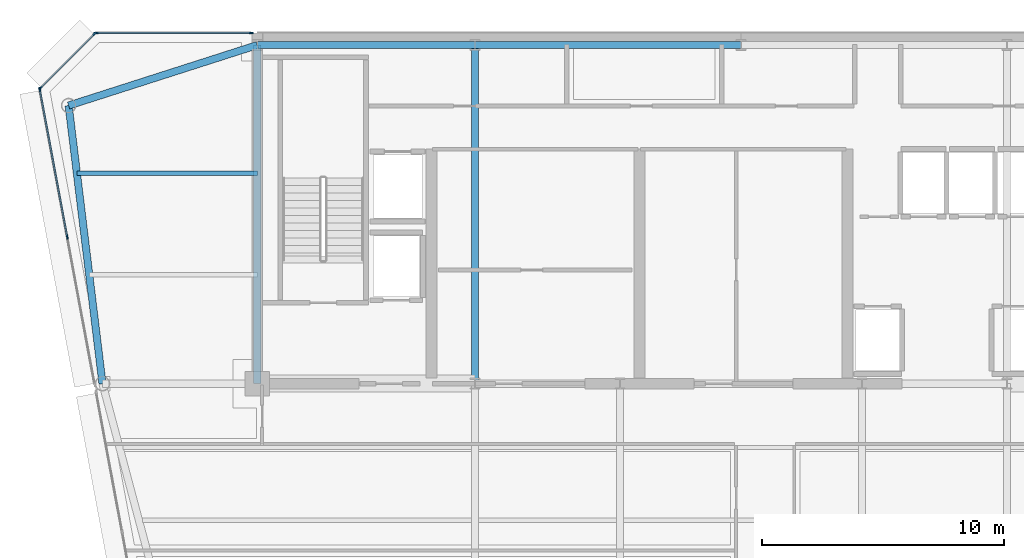
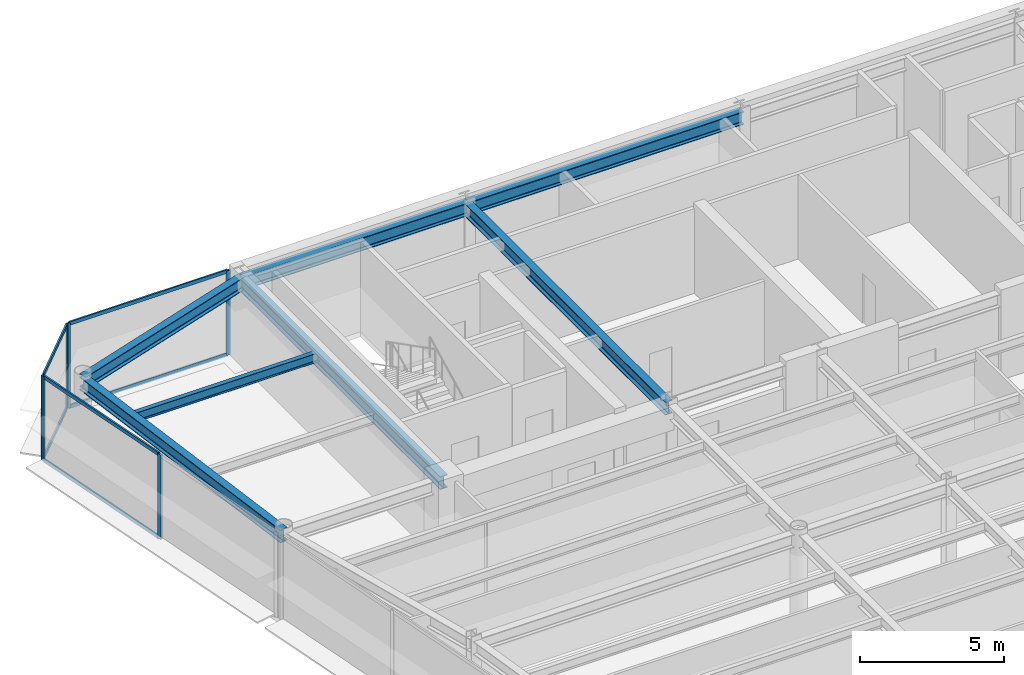
# One storey, part 7 of 18: 12 members, 7 beams, 3 elements without a shape of their own.
"""IFC4 building model written with IfcOpenShell, lengths in metres."""

from ifc_helpers import new_model, si_unit, direction, frame, origin, origin_2d, place, context, subcontext, project, spatial, rectangle, i_section, extrude, source, transform, mapped, material, layer, layer_set, material_profile, profile_set, type_object, element, aggregate, save


model = new_model("IFC4")

# Units and contexts
model_context = context("Model", 3, precision=1e-05, world=origin(), true_north=direction((0.0, 1.0)))
body_context = subcontext(model_context, "Body", "Model", "MODEL_VIEW")
ifc_project = project(units=[si_unit("LENGTHUNIT", "METRE"), si_unit("AREAUNIT", "SQUARE_METRE"), si_unit("VOLUMEUNIT", "CUBIC_METRE"), si_unit("PLANEANGLEUNIT", "RADIAN"), si_unit("MASSUNIT", "GRAM", prefix="KILO")], contexts=[model_context])

# Site, building, storey
site_placement = place(None, origin())
site = spatial("IfcSite", under=ifc_project, at=site_placement, CompositionType="ELEMENT")
building_placement = place(site_placement, origin())
building = spatial("IfcBuilding", under=site, at=building_placement, Name="Vaeldorn Concourse Tower", CompositionType="ELEMENT")
storey_placement = place(building_placement, frame((0.0, 0.0, 257.39990234375)))
storey = spatial("IfcBuildingStorey", under=building, at=storey_placement, Name="L66", CompositionType="ELEMENT", Elevation=257.39990234375)

# Beams
ifc_material_1 = material(Name="Steel S355", Category="steel")
ifc_material_profile_1 = material_profile(ifc_material_1, i_section(OverallWidth=0.179931640625, OverallDepth=0.39990234375, WebThickness=0.008544921875, FlangeThickness=0.013427734375, FilletRadius=0.02099609375, at=origin_2d()), Name="IPE 400")
ifc_profile_set_1 = profile_set([ifc_material_profile_1], Name="Steel S355")
beam_type_1 = type_object("IfcBeamType", Name="BM-JS-IPE400", PredefinedType="JOIST", material=ifc_profile_set_1)
shared_shape_1 = source(origin(), body_context, "Body", "SweptSolid", [
    extrude(i_section(OverallWidth=0.179931640625, OverallDepth=0.39990234375, WebThickness=0.008544921875, FlangeThickness=0.013427734375, FilletRadius=0.02099609375, at=origin_2d()), origin(), (0.0, 0.0, 1.0), 7.458984375),
])
beam_1_placement = place(storey_placement, frame((6.541015625, 45.199951171875, 3.380126953125), z_axis=(1.0, 0.0, 0.0), x_axis=(0.0, 1.0, 0.0)))
element("IfcBeam", 1, at=beam_1_placement, inside=storey, type_object=beam_type_1, Name="Beam JS-L66-NW-452", PredefinedType="JOIST", context=body_context, shape_type="MappedRepresentation", body=[
    mapped(shared_shape_1, transform((0.0, 0.0, 0.0), scale=1.0)),
])
ifc_material_profile_2 = material_profile(ifc_material_1, i_section(OverallWidth=0.300048828125, OverallDepth=0.550048828125, WebThickness=0.014892578125, FlangeThickness=0.029052734375, FilletRadius=0.027099609375, at=origin_2d()), Name="HEB 550")
ifc_profile_set_2 = profile_set([ifc_material_profile_2], Name="Steel S355")
beam_type_2 = type_object("IfcBeamType", Name="BM-PG-HEB550", PredefinedType="BEAM", material=ifc_profile_set_2)
shared_shape_2 = source(origin(), body_context, "Body", "SweptSolid", [
    extrude(i_section(OverallWidth=0.300048828125, OverallDepth=0.550048828125, WebThickness=0.014892578125, FlangeThickness=0.029052734375, FilletRadius=0.027099609375, at=origin_2d()), origin(), (0.0, 0.0, 1.0), 9.0),
])
beam_2_placement = place(storey_placement, frame((14.0, 50.5, 3.30517578125), z_axis=(1.0, 0.0, 0.0), x_axis=(0.0, 1.0, 0.0)))
element("IfcBeam", 2, at=beam_2_placement, inside=storey, type_object=beam_type_2, Name="Beam BM-L66-C-HC1-C-HC2", PredefinedType="BEAM", context=body_context, shape_type="MappedRepresentation", body=[
    mapped(shared_shape_2, transform((0.0, 0.0, 0.0), scale=1.0)),
])
shared_shape_3 = source(origin(), body_context, "Body", "SweptSolid", [
    extrude(i_section(OverallWidth=0.300048828125, OverallDepth=0.550048828125, WebThickness=0.014892578125, FlangeThickness=0.029052734375, FilletRadius=0.027099609375, at=origin_2d()), origin(), (0.0, 0.0, 1.0), 11.0),
])
beam_3_placement = place(storey_placement, frame((23.0, 50.5, 3.30517578125), z_axis=(1.0, 0.0, 0.0), x_axis=(0.0, 1.0, 0.0)))
element("IfcBeam", 3, at=beam_3_placement, inside=storey, type_object=beam_type_2, Name="Beam BM-L66-C-HC2-C-HC3", PredefinedType="BEAM", context=body_context, shape_type="MappedRepresentation", body=[
    mapped(shared_shape_3, transform((0.0, 0.0, 0.0), scale=1.0)),
])
shared_shape_4 = source(origin(), body_context, "Body", "SweptSolid", [
    extrude(i_section(OverallWidth=0.300048828125, OverallDepth=0.550048828125, WebThickness=0.014892578125, FlangeThickness=0.029052734375, FilletRadius=0.027099609375, at=origin_2d()), origin(), (0.0, 0.0, 1.0), 14.0),
])
for number, where, z_axis, x_axis, name in (
    (4, (14.0, 36.5, 3.30517578125), (0.0, 1.0, 0.0), (-1.0, 0.0, 0.0), "Beam BM-L66-C-FC1-C-HC1"),
    (5, (23.0, 36.5, 3.30517578125), (0.0, 1.0, 0.0), (-1.0, 0.0, 0.0), "Beam BM-L66-C-FC2-C-HC2"),
):
    element("IfcBeam", number, at=place(storey_placement, frame(where, z_axis=z_axis, x_axis=x_axis)), inside=storey, type_object=beam_type_2, Name=name, PredefinedType="BEAM", context=body_context, shape_type="MappedRepresentation", body=[
        mapped(shared_shape_4, transform((0.0, 0.0, 0.0), scale=1.0)),
    ])
shared_shape_5 = source(origin(), body_context, "Body", "SweptSolid", [
    extrude(i_section(OverallWidth=0.300048828125, OverallDepth=0.550048828125, WebThickness=0.014892578125, FlangeThickness=0.029052734375, FilletRadius=0.027099609375, at=origin_2d()), origin(), (0.0, 0.0, 1.0), 8.19091796875),
])
beam_4_placement = place(storey_placement, frame((6.199951171875, 48.0, 3.30517578125), z_axis=(0.952282843383, 0.305216949396, 0.0), x_axis=(-0.305216949396, 0.952282843383, 0.0)))
element("IfcBeam", 6, at=beam_4_placement, inside=storey, type_object=beam_type_2, Name="Beam BM-L66-C-NW1-C-HC1", PredefinedType="BEAM", context=body_context, shape_type="MappedRepresentation", body=[
    mapped(shared_shape_5, transform((0.0, 0.0, 0.0), scale=1.0)),
])
shared_shape_6 = source(origin(), body_context, "Body", "SweptSolid", [
    extrude(i_section(OverallWidth=0.300048828125, OverallDepth=0.550048828125, WebThickness=0.014892578125, FlangeThickness=0.029052734375, FilletRadius=0.027099609375, at=origin_2d()), origin(), (0.0, 0.0, 1.0), 11.5849609375),
])
beam_5_placement = place(storey_placement, frame((6.199951171875, 48.0, 3.30517578125), z_axis=(0.120859382899, -0.992669637677, 0.0), x_axis=(0.992669637677, 0.120859382899, 0.0)))
element("IfcBeam", 7, at=beam_5_placement, inside=storey, type_object=beam_type_2, Name="Beam BM-L66-C-NW1-C-NW2", PredefinedType="BEAM", context=body_context, shape_type="MappedRepresentation", body=[
    mapped(shared_shape_6, transform((0.0, 0.0, 0.0), scale=1.0)),
])

# Curtain wall, members
ifc_material_2 = material(Name="Anodised Bronze Aluminium", Category="aluminium")
ifc_layer = layer(ifc_material_2, 0.179931640625)
ifc_layer_set = layer_set([ifc_layer], Name="Anodised Bronze Aluminium")
curtain_wall_type = type_object("IfcCurtainWallType", Name="CW-SYS-05", PredefinedType="NOTDEFINED", material=ifc_layer_set)
curtain_wall_1_placement = place(storey_placement, origin())
curtain_wall_1 = element("IfcCurtainWall", 8, at=curtain_wall_1_placement, inside=storey, type_object=curtain_wall_type, Name="Unitised Curtain Wall CW-L66-E10-1", PredefinedType="NOTDEFINED")
ifc_material_profile_3 = material_profile(ifc_material_2, rectangle(XDim=0.06494140625, YDim=0.14990234375, at=origin_2d()), Name="CWT 65x150")
ifc_profile_set_3 = profile_set([ifc_material_profile_3], Name="Anodised Bronze Aluminium")
member_type_1 = type_object("IfcMemberType", Name="CWT-BRONZE-150", PredefinedType="USERDEFINED", material=ifc_profile_set_3)
shared_shape_7 = source(origin(), body_context, "Body", "SweptSolid", [
    extrude(rectangle(XDim=0.06494140625, YDim=0.14990234375, at=origin_2d()), origin(), (0.0, 0.0, 1.0), 3.123046875),
])
member_1_placement = place(storey_placement, frame((7.254150390625, 50.9541015625, 0.03271484375), z_axis=(-0.707106781187, -0.707106781187, 0.0), x_axis=(0.707106781187, -0.707106781187, 0.0)))
member_1 = element("IfcMember", 9, at=member_1_placement, type_object=member_type_1, Name="CW-05 transom 1.1", ObjectType="TRANSOM", PredefinedType="USERDEFINED", context=body_context, shape_type="MappedRepresentation", body=[
    mapped(shared_shape_7, transform((0.0, 0.0, 0.0), scale=1.0)),
])
member_2_placement = place(storey_placement, frame((7.254150390625, 50.9541015625, 3.547607421875), z_axis=(-0.707106781187, -0.707106781187, 0.0), x_axis=(0.707106781187, -0.707106781187, 0.0)))
member_2 = element("IfcMember", 10, at=member_2_placement, type_object=member_type_1, Name="CW-05 transom 1.2", ObjectType="TRANSOM", PredefinedType="USERDEFINED", context=body_context, shape_type="MappedRepresentation", body=[
    mapped(shared_shape_7, transform((0.0, 0.0, 0.0), scale=1.0)),
])

curtain_wall_2_placement = place(storey_placement, origin())
curtain_wall_2 = element("IfcCurtainWall", 11, at=curtain_wall_2_placement, inside=storey, type_object=curtain_wall_type, Name="Unitised Curtain Wall CW-L66-E09-2", PredefinedType="NOTDEFINED")
ifc_material_profile_4 = material_profile(ifc_material_2, rectangle(XDim=0.06494140625, YDim=0.169921875, at=origin_2d()), Name="CWM 65x170")
ifc_profile_set_4 = profile_set([ifc_material_profile_4], Name="Anodised Bronze Aluminium")
member_type_2 = type_object("IfcMemberType", Name="CWM-BRONZE-170", PredefinedType="MULLION", material=ifc_profile_set_4)
shared_shape_8 = source(origin(), body_context, "Body", "SweptSolid", [
    extrude(rectangle(XDim=0.06494140625, YDim=0.169921875, at=origin_2d()), origin(), (0.0, 0.0, 1.0), 3.580078125),
])
member_3_placement = place(storey_placement, frame((13.74755859375, 51.0, 0.0), z_axis=(0.0, 0.0, 1.0), x_axis=(0.0, -1.0, 0.0)))
member_3 = element("IfcMember", 12, at=member_3_placement, type_object=member_type_2, Name="CW-05 mullion 1", PredefinedType="MULLION", context=body_context, shape_type="MappedRepresentation", body=[
    mapped(shared_shape_8, transform((0.0, 0.0, 0.0), scale=1.0)),
])
member_4_placement = place(storey_placement, frame((7.33251953125, 51.0, 0.0), z_axis=(0.0, 0.0, 1.0), x_axis=(0.0, -1.0, 0.0)))
member_4 = element("IfcMember", 13, at=member_4_placement, type_object=member_type_2, Name="CW-05 mullion 2", PredefinedType="MULLION", context=body_context, shape_type="MappedRepresentation", body=[
    mapped(shared_shape_8, transform((0.0, 0.0, 0.0), scale=1.0)),
])

# Member
member_5_placement = place(storey_placement, frame((7.277099609375, 50.97705078125, 0.0), z_axis=(0.0, 0.0, 1.0), x_axis=(0.707106781187, -0.707106781187, 0.0)))
member_5 = element("IfcMember", 14, at=member_5_placement, type_object=member_type_2, Name="CW-05 mullion 1", PredefinedType="MULLION", context=body_context, shape_type="MappedRepresentation", body=[
    mapped(shared_shape_8, transform((0.0, 0.0, 0.0), scale=1.0)),
])

member_6_placement = place(storey_placement, frame((5.02294921875, 48.722900390625, 0.0), z_axis=(0.0, 0.0, 1.0), x_axis=(0.707106781187, -0.707106781187, 0.0)))
member_6 = element("IfcMember", 15, at=member_6_placement, type_object=member_type_2, Name="CW-05 mullion 2", PredefinedType="MULLION", context=body_context, shape_type="MappedRepresentation", body=[
    mapped(shared_shape_8, transform((0.0, 0.0, 0.0), scale=1.0)),
])

aggregate(curtain_wall_1, [member_5, member_6, member_1, member_2])

# Curtain wall, members
curtain_wall_3_placement = place(storey_placement, origin())
curtain_wall_3 = element("IfcCurtainWall", 16, at=curtain_wall_3_placement, inside=storey, type_object=curtain_wall_type, Name="Unitised Curtain Wall CW-L66-E11-1", PredefinedType="NOTDEFINED")
member_7_placement = place(storey_placement, frame((5.005859375, 48.66796875, 0.0), z_axis=(0.0, 0.0, 1.0), x_axis=(0.983102768025, 0.183054493257, 0.0)))
member_7 = element("IfcMember", 17, at=member_7_placement, type_object=member_type_2, Name="CW-05 mullion 1", PredefinedType="MULLION", context=body_context, shape_type="MappedRepresentation", body=[
    mapped(shared_shape_8, transform((0.0, 0.0, 0.0), scale=1.0)),
])
member_8_placement = place(storey_placement, frame((6.142578125, 42.564208984375, 0.0), z_axis=(0.0, 0.0, 1.0), x_axis=(0.983102768025, 0.183054493257, 0.0)))
member_8 = element("IfcMember", 18, at=member_8_placement, type_object=member_type_2, Name="CW-05 mullion 2", PredefinedType="MULLION", context=body_context, shape_type="MappedRepresentation", body=[
    mapped(shared_shape_8, transform((0.0, 0.0, 0.0), scale=1.0)),
])
shared_shape_9 = source(origin(), body_context, "Body", "SweptSolid", [
    extrude(rectangle(XDim=0.06494140625, YDim=0.14990234375, at=origin_2d()), origin(), (0.0, 0.0, 1.0), 6.1435546875),
])
member_9_placement = place(storey_placement, frame((5.011962890625, 48.635986328125, 0.03271484375), z_axis=(0.183038328644, -0.983105777751, 0.0), x_axis=(0.983105777751, 0.183038328644, 0.0)))
member_9 = element("IfcMember", 19, at=member_9_placement, type_object=member_type_1, Name="CW-05 transom 1.1", ObjectType="TRANSOM", PredefinedType="USERDEFINED", context=body_context, shape_type="MappedRepresentation", body=[
    mapped(shared_shape_9, transform((0.0, 0.0, 0.0), scale=1.0)),
])
member_10_placement = place(storey_placement, frame((5.011962890625, 48.635986328125, 3.547607421875), z_axis=(0.183038328644, -0.983105777751, 0.0), x_axis=(0.983105777751, 0.183038328644, 0.0)))
member_10 = element("IfcMember", 20, at=member_10_placement, type_object=member_type_1, Name="CW-05 transom 1.2", ObjectType="TRANSOM", PredefinedType="USERDEFINED", context=body_context, shape_type="MappedRepresentation", body=[
    mapped(shared_shape_9, transform((0.0, 0.0, 0.0), scale=1.0)),
])
aggregate(curtain_wall_3, [member_7, member_8, member_9, member_10])

# Member
shared_shape_10 = source(origin(), body_context, "Body", "SweptSolid", [
    extrude(rectangle(XDim=0.06494140625, YDim=0.14990234375, at=origin_2d()), origin(), (0.0, 0.0, 1.0), 6.35009765625),
])
member_11_placement = place(storey_placement, frame((13.715087890625, 51.0, 0.03271484375), z_axis=(-1.0, 0.0, 0.0), x_axis=(0.0, -1.0, 0.0)))
member_11 = element("IfcMember", 21, at=member_11_placement, type_object=member_type_1, Name="CW-05 transom 1.1", ObjectType="TRANSOM", PredefinedType="USERDEFINED", context=body_context, shape_type="MappedRepresentation", body=[
    mapped(shared_shape_10, transform((0.0, 0.0, 0.0), scale=1.0)),
])

member_12_placement = place(storey_placement, frame((13.715087890625, 51.0, 3.547607421875), z_axis=(-1.0, 0.0, 0.0), x_axis=(0.0, -1.0, 0.0)))
member_12 = element("IfcMember", 22, at=member_12_placement, type_object=member_type_1, Name="CW-05 transom 1.2", ObjectType="TRANSOM", PredefinedType="USERDEFINED", context=body_context, shape_type="MappedRepresentation", body=[
    mapped(shared_shape_10, transform((0.0, 0.0, 0.0), scale=1.0)),
])

aggregate(curtain_wall_2, [member_3, member_4, member_11, member_12])

save(model, "model.ifc")
